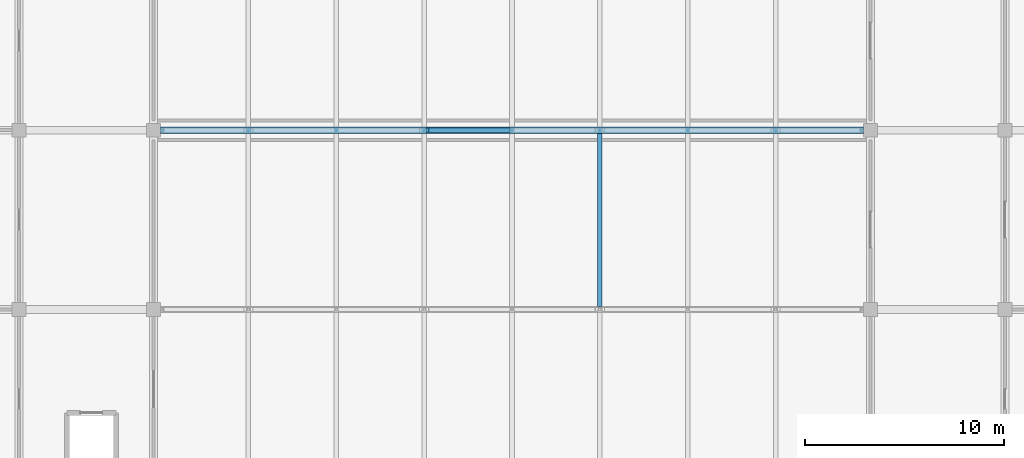
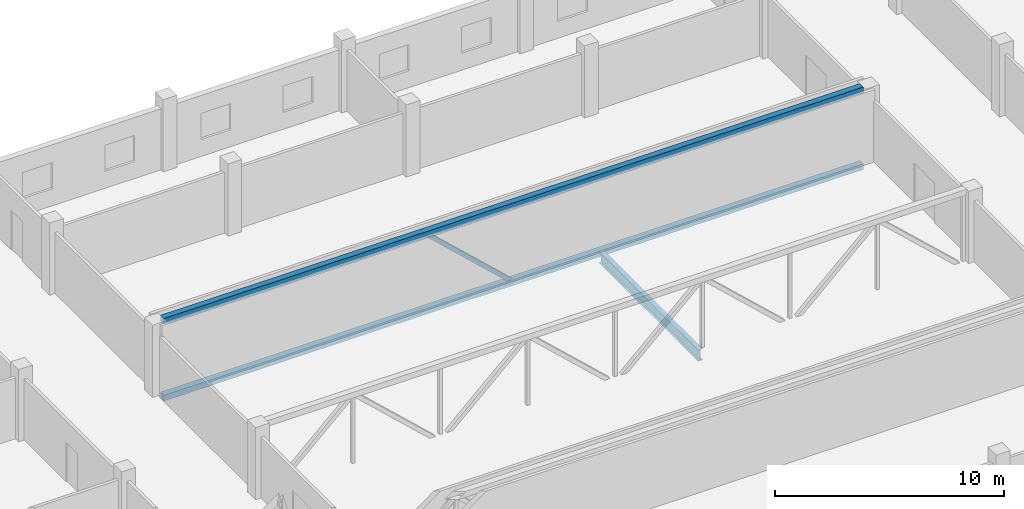
# One storey, part 17 of 42: 3 members, 1 beam.
"""IFC4 building model written with IfcOpenShell, lengths in metres."""

import ifcopenshell
import ifcopenshell.guid

model = None  # the IFC model being written
_history = None  # IfcOwnerHistory: only IFC2X3 demands one
_inside = {}  # id of a spatial element -> (the spatial element, [elements in it])
_under = {}  # id of a project, library or spatial element -> (it, [spatial elements below it])
_declared = {}  # id of a project -> (the project, [libraries it declares])
_typed = {}  # id of a type object -> (the type object, [elements of that type])
_made_of = {}  # id of a material, layer set ... -> (it, [elements and type objects made of it])


def new_model(schema):
    """Start an empty IFC model of exactly this schema.

    Asked for "IFC4X3", IfcOpenShell would pick the latest addendum, in which some entities
    have other attributes; the version numbers below select the first issue.
    IFC2X3 requires an IfcOwnerHistory on every rooted entity: one is made here for all.
    """
    global model, _history
    if schema == "IFC4X3":
        model = ifcopenshell.file(schema_version=(4, 3, 0, 0))
    else:
        model = ifcopenshell.file(schema=schema)
    _inside.clear()
    _under.clear()
    _declared.clear()
    _typed.clear()
    _made_of.clear()
    _history = None
    if model.schema == "IFC2X3":
        org = make("IfcOrganization", Name="unknown")
        user = make(
            "IfcPersonAndOrganization",
            ThePerson=make("IfcPerson", FamilyName="unknown"),
            TheOrganization=org,
        )
        app = make(
            "IfcApplication",
            ApplicationDeveloper=org,
            Version="unknown",
            ApplicationFullName="unknown",
            ApplicationIdentifier="unknown",
        )
        _history = make(
            "IfcOwnerHistory",
            OwningUser=user,
            OwningApplication=app,
            ChangeAction="ADDED",
            CreationDate=0,
        )
    return model


def make(cls, **values):
    """One entity of the class cls with the attributes given. An attribute that is None is left unset."""
    return model.create_entity(
        cls, **{name: value for name, value in values.items() if value is not None}
    )


def rooted(cls, **values):
    """An entity with a GlobalId (a new one), such as an element, a storey or a relation."""
    return make(cls, GlobalId=ifcopenshell.guid.new(), OwnerHistory=_history, **values)


def si_unit(unit_type, name, prefix=None):
    """IfcSIUnit, for example si_unit("LENGTHUNIT", "METRE", prefix="MILLI")."""
    return make("IfcSIUnit", UnitType=unit_type, Prefix=prefix, Name=name)


def assignment(units):
    """IfcUnitAssignment: the units of a project."""
    return None if units is None else make("IfcUnitAssignment", Units=units)


def point(xyz):
    """IfcCartesianPoint."""
    return None if xyz is None else make("IfcCartesianPoint", Coordinates=xyz)


def direction(xyz):
    """IfcDirection."""
    return None if xyz is None else make("IfcDirection", DirectionRatios=xyz)


def frame(location, z_axis=None, x_axis=None):
    """IfcAxis2Placement3D, a coordinate frame: its origin and axes. An axis left out is left unset."""
    return make(
        "IfcAxis2Placement3D",
        Location=point(location),
        Axis=direction(z_axis),
        RefDirection=direction(x_axis),
    )


def frame_2d(location, x_axis=None):
    """IfcAxis2Placement2D, a coordinate frame in the plane: its origin and x axis."""
    return make(
        "IfcAxis2Placement2D", Location=point(location), RefDirection=direction(x_axis)
    )


def origin():
    """The frame at (0, 0, 0) with its axes left unset."""
    return frame((0.0, 0.0, 0.0))


def origin_2d():
    """The frame at (0, 0) in the plane with its x axis left unset."""
    return frame_2d((0.0, 0.0))


def place(relative_to, where):
    """IfcLocalPlacement: puts the frame where relative to a parent placement (None: the world)."""
    return make(
        "IfcLocalPlacement", PlacementRelTo=relative_to, RelativePlacement=where
    )


def context(
    kind, dimensions, precision=None, world=None, true_north=None, identifier=None
):
    """IfcGeometricRepresentationContext, for example the 3D "Model" context."""
    return make(
        "IfcGeometricRepresentationContext",
        ContextIdentifier=identifier,
        ContextType=kind,
        CoordinateSpaceDimension=dimensions,
        Precision=precision,
        WorldCoordinateSystem=world,
        TrueNorth=true_north,
    )


def subcontext(parent, identifier, kind, view, scale=None):
    """IfcGeometricRepresentationSubContext, for example "Body" below "Model"."""
    return make(
        "IfcGeometricRepresentationSubContext",
        ContextIdentifier=identifier,
        ContextType=kind,
        ParentContext=parent,
        TargetScale=scale,
        TargetView=view,
    )


def project(units=None, contexts=None):
    """IfcProject with its units and contexts."""
    return rooted(
        "IfcProject",
        Name="project",
        RepresentationContexts=contexts,
        UnitsInContext=assignment(units),
    )


def spatial(cls, under=None, at=None, **own):
    """A site, building, storey or space (cls), placed at a placement, below another one or the project."""
    s = rooted(cls, ObjectPlacement=at, **own)
    if under is not None:
        _under.setdefault(under.id(), (under, []))[1].append(s)
    return s


def profile(cls, at=None, kind="AREA", **sizes):
    """A parametric profile (cls). Its sizes go by their IFC names, for example OverallWidth=200.0."""
    return make(cls, ProfileType=kind, Position=at, **sizes)


def hollow_rectangle(**sizes):
    """IfcRectangleHollowProfileDef."""
    return profile("IfcRectangleHollowProfileDef", **sizes)


def i_section(**sizes):
    """IfcIShapeProfileDef."""
    return profile("IfcIShapeProfileDef", **sizes)


def extrude(swept, where, along, depth):
    """IfcExtrudedAreaSolid: the profile swept, set in the frame where, extruded along a direction by depth."""
    return make(
        "IfcExtrudedAreaSolid",
        SweptArea=swept,
        Position=where,
        ExtrudedDirection=direction(along),
        Depth=depth,
    )


def shape(context_of_items, identifier, shape_type, items):
    """IfcShapeRepresentation: the items that make up one representation, for example the "Body"."""
    return make(
        "IfcShapeRepresentation",
        ContextOfItems=context_of_items,
        RepresentationIdentifier=identifier,
        RepresentationType=shape_type,
        Items=items,
    )


def material(Name=None, Category=None):
    """IfcMaterial."""
    return make("IfcMaterial", Name=Name, Category=Category)


def material_profile(
    of_material, cross_section, Name=None, Category=None, Priority=None
):
    """IfcMaterialProfile: a cross section and its material."""
    return make(
        "IfcMaterialProfile",
        Name=Name,
        Material=of_material,
        Profile=cross_section,
        Priority=Priority,
        Category=Category,
    )


def profile_set(profiles, Name=None, composite=None):
    """IfcMaterialProfileSet."""
    return make(
        "IfcMaterialProfileSet",
        Name=Name,
        MaterialProfiles=profiles,
        CompositeProfile=composite,
    )


def made_of(thing, what):
    """Note that an element or type object is made of a material, layer set ...; save() writes the relation."""
    if what is not None:
        _made_of.setdefault(what.id(), (what, []))[1].append(thing)
    return thing


def type_object(cls, material=None, **own):
    """A type object (cls), such as IfcWallType, which elements share."""
    return made_of(rooted(cls, **own), material)


def element(
    cls,
    number,
    at=None,
    inside=None,
    cuts=None,
    type_object=None,
    material=None,
    context=None,
    identifier="Body",
    shape_type=None,
    held_by="IfcProductDefinitionShape",
    body=None,
    shapes=None,
    **own,
):
    """One element of the class cls, such as IfcWall. Its Tag is "e" and its number.

    at: its placement. inside: the storey or other place that contains it. cuts: it is an
    opening in that element (IfcRelVoidsElement). A single representation is given by context,
    identifier, shape_type and body (its items); several are given by shapes. held_by: the class
    of the entity that holds the representations. save() writes the other relations.
    """
    e = rooted(cls, Tag="e%d" % number, ObjectPlacement=at, **own)
    if body is not None:
        shapes = [shape(context, identifier, shape_type, body)]
    if shapes is not None:
        e.Representation = make(held_by, Representations=shapes)
    if inside is not None:
        _inside.setdefault(inside.id(), (inside, []))[1].append(e)
    if cuts is not None:
        rooted(
            "IfcRelVoidsElement", RelatingBuildingElement=cuts, RelatedOpeningElement=e
        )
    if type_object is not None:
        _typed.setdefault(type_object.id(), (type_object, []))[1].append(e)
    return made_of(e, material)


def aggregate(whole, parts):
    """IfcRelAggregates: a whole, such as a stair, and the parts it consists of."""
    return rooted("IfcRelAggregates", RelatingObject=whole, RelatedObjects=parts)


def save(model, path):
    """Write the relations noted so far, then the file.

    IfcRelAggregates (storeys below a building ...), IfcRelContainedInSpatialStructure (elements
    in a storey), IfcRelDefinesByType, IfcRelAssociatesMaterial and IfcRelDeclares: one each for
    every whole, place, type object, material and project.
    """
    for whole, parts in _under.values():
        aggregate(whole, parts)
    for where, things in _inside.values():
        rooted(
            "IfcRelContainedInSpatialStructure",
            RelatedElements=things,
            RelatingStructure=where,
        )
    for kind, things in _typed.values():
        rooted("IfcRelDefinesByType", RelatedObjects=things, RelatingType=kind)
    for what, things in _made_of.values():
        rooted("IfcRelAssociatesMaterial", RelatedObjects=things, RelatingMaterial=what)
    for by, libraries in _declared.values():
        rooted("IfcRelDeclares", RelatingContext=by, RelatedDefinitions=libraries)
    model.write(path)


model = new_model("IFC4")

# Units and contexts
model_context = context("Model", 3, precision=1e-05, world=origin(), true_north=direction((0.0, 1.0)))
body_context = subcontext(model_context, "Body", "Model", "MODEL_VIEW")
ifc_project = project(units=[si_unit("LENGTHUNIT", "METRE"), si_unit("AREAUNIT", "SQUARE_METRE"), si_unit("VOLUMEUNIT", "CUBIC_METRE"), si_unit("PLANEANGLEUNIT", "RADIAN"), si_unit("MASSUNIT", "GRAM", prefix="KILO")], contexts=[model_context])

# Site, building, storey
site_placement = place(None, origin())
site = spatial("IfcSite", under=ifc_project, at=site_placement, CompositionType="ELEMENT")
building_placement = place(site_placement, origin())
building = spatial("IfcBuilding", under=site, at=building_placement, Name="Corbel Stack Research Tower", CompositionType="ELEMENT")
storey_placement = place(building_placement, frame((0.0, 0.0, 11.300048828125)))
storey = spatial("IfcBuildingStorey", under=building, at=storey_placement, Name="L02", CompositionType="ELEMENT", Elevation=11.300048828125)

# Beam
ifc_material_1 = material(Name="Steel S355", Category="steel")
ifc_material_profile_1 = material_profile(ifc_material_1, i_section(OverallWidth=0.22802734375, OverallDepth=0.60302734375, WebThickness=0.010986328125, FlangeThickness=0.014892578125, at=origin_2d()), Name="W24x68")
ifc_profile_set_1 = profile_set([ifc_material_profile_1], Name="Steel S355")
beam_type = type_object("IfcBeamType", Name="HB2 steel beam W24x68", PredefinedType="BEAM", material=ifc_profile_set_1)
beam_placement = place(storey_placement, frame((73.362548828125, 0.152587890625, -0.551513671875), z_axis=(0.0, 1.0, 0.0), x_axis=(-1.0, 0.0, 0.0)))
element("IfcBeam", 1, at=beam_placement, inside=storey, type_object=beam_type, Name="Steel floor beam L02 bay 3 line 5", PredefinedType="BEAM", context=body_context, shape_type="SweptSolid", body=[
    extrude(i_section(OverallWidth=0.22802734375, OverallDepth=0.60302734375, WebThickness=0.010986328125, FlangeThickness=0.014892578125, at=origin_2d()), origin(), (0.0, 0.0, 1.0), 8.69482421875),
])

# Members
ifc_material_2 = material(Name="Steel S355", Category="steel")
ifc_material_profile_2 = material_profile(ifc_material_2, hollow_rectangle(XDim=0.304931640625, YDim=0.304931640625, WallThickness=0.014892578125, at=origin_2d()), Name="HSS12x12x5/8")
ifc_profile_set_2 = profile_set([ifc_material_profile_2], Name="Steel S355")
member_type_1 = type_object("IfcMemberType", Name="HT1 truss chord HSS12x12x5/8", PredefinedType="CHORD", material=ifc_profile_set_2)
for number, where, z_axis, x_axis, name in (
    (2, (51.300048828125, 9.0, -0.402587890625), (1.0, 0.0, 0.0), (0.0, 1.0, 0.0), "Truss TA3 bottom chord"),
    (3, (51.300048828125, 9.0, 3.697509765625), (1.0, 0.0, 0.0), (0.0, 1.0, 0.0), "Truss TA3 top chord"),
):
    element("IfcMember", number, at=place(storey_placement, frame(where, z_axis=z_axis, x_axis=x_axis)), inside=storey, type_object=member_type_1, Name=name, PredefinedType="CHORD", context=body_context, shape_type="SweptSolid", body=[
        extrude(hollow_rectangle(XDim=0.304931640625, YDim=0.304931640625, WallThickness=0.014892578125, at=origin_2d()), origin(), (0.0, 0.0, 1.0), 35.300048828125),
    ])
ifc_material_3 = material(Name="Steel S355", Category="steel")
ifc_material_profile_3 = material_profile(ifc_material_3, hollow_rectangle(XDim=0.202880859375, YDim=0.202880859375, WallThickness=0.0087890625, at=origin_2d()), Name="HSS8x8x3/8")
ifc_profile_set_3 = profile_set([ifc_material_profile_3], Name="Steel S355")
member_type_2 = type_object("IfcMemberType", Name="HT2 truss diagonal HSS8x8x3/8", PredefinedType="BRACE", material=ifc_profile_set_3)
member_placement = place(storey_placement, frame((64.70166015625, 9.0, 3.544921875), z_axis=(0.732576659872, 0.0, -0.680684535898), x_axis=(0.0, 1.0, 0.0)))
element("IfcMember", 4, at=member_placement, inside=storey, type_object=member_type_2, Name="Truss TA3 diagonal 4", PredefinedType="BRACE", context=body_context, shape_type="SweptSolid", body=[
    extrude(hollow_rectangle(XDim=0.202880859375, YDim=0.202880859375, WallThickness=0.0087890625, at=origin_2d()), origin(), (0.0, 0.0, 1.0), 5.5751953125),
])

save(model, "model.ifc")
